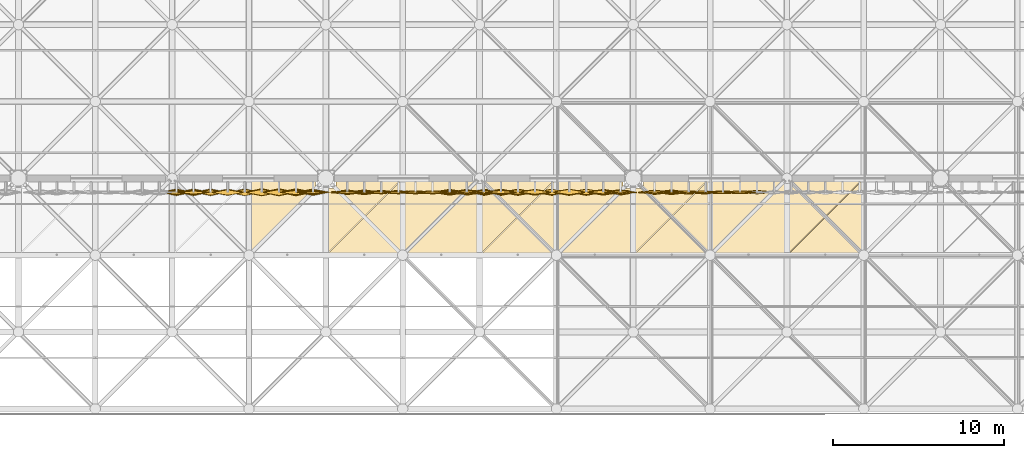
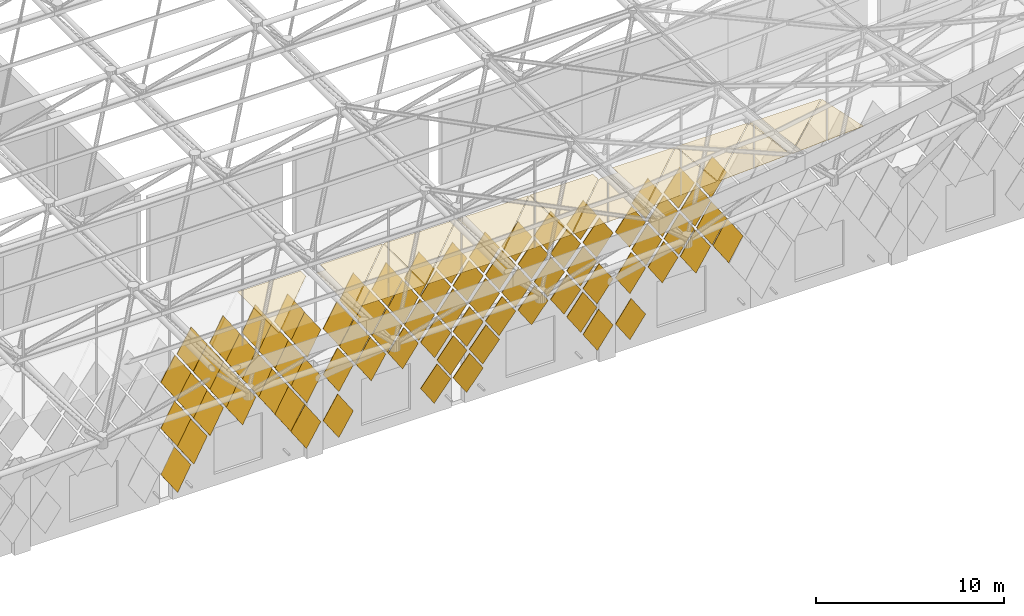
# One storey, part 415 of 437: 92 coverings.
"""IFC4 building model written with IfcOpenShell, lengths in metres."""

from ifc_helpers import new_model, si_unit, direction, frame, origin, place, context, subcontext, project, spatial, polyline, outline, extrude, material, layer, layer_set, material_profile, profile_set, type_object, element, save


model = new_model("IFC4")

# Units and contexts
model_context = context("Model", 3, precision=1e-05, world=origin(), true_north=direction((0.0, 1.0)))
body_context = subcontext(model_context, "Body", "Model", "MODEL_VIEW")
ifc_project = project(units=[si_unit("LENGTHUNIT", "METRE"), si_unit("AREAUNIT", "SQUARE_METRE"), si_unit("VOLUMEUNIT", "CUBIC_METRE"), si_unit("PLANEANGLEUNIT", "RADIAN"), si_unit("MASSUNIT", "GRAM", prefix="KILO")], contexts=[model_context])

# Site, building, storey
site_placement = place(None, origin())
site = spatial("IfcSite", under=ifc_project, at=site_placement, CompositionType="ELEMENT")
building_placement = place(site_placement, origin())
building = spatial("IfcBuilding", under=site, at=building_placement, Name="Opaline Strait Convention Centre", CompositionType="ELEMENT")
storey_placement = place(building_placement, frame((0.0, 0.0, 11.5)))
storey = spatial("IfcBuildingStorey", under=building, at=storey_placement, Name="L02", CompositionType="ELEMENT", Elevation=11.5)

# Coverings
ifc_material_1 = material(Name="White ceramic-faced aluminium tile", Category="aluminium")
ifc_material_profile_1 = material_profile(ifc_material_1, outline(polyline([(0.927978515625, 0.0), (0.0, 1.39208984375), (-0.927978515625, 0.0), (0.0, -1.39208984375), (0.927978515625, 0.0)])), Name="Diamond tile 1856x2784")
ifc_profile_set_1 = profile_set([ifc_material_profile_1], Name="White ceramic-faced aluminium tile")
covering_type_1 = type_object("IfcCoveringType", Name="Diamond wall tile 1856x2784x30 pivot 2 deg", PredefinedType="CLADDING", material=ifc_profile_set_1)
for number, where, z_axis, x_axis, name in (
    (1, (230.25, 53.199951171875, 5.39208984375), (0.0, -0.999471633277, 0.032503142546), (1.0, 0.0, 0.0), "Wall tile XT04 S"),
    (2, (229.25, 53.199951171875, 6.89208984375), (0.0, -0.999174794796, -0.040616861577), (1.0, 0.0, 0.0), "Wall tile XT04 S"),
    (3, (231.25, 53.199951171875, 6.89208984375), (0.0, -0.999471633277, 0.032503142546), (1.0, 0.0, 0.0), "Wall tile XT04 S"),
    (4, (230.25, 53.199951171875, 8.39208984375), (0.0, -0.999174794796, -0.040616861577), (1.0, 0.0, 0.0), "Wall tile XT04 S"),
    (5, (231.25, 53.199951171875, 9.89208984375), (0.0, -0.999174794796, -0.040616861577), (1.0, 0.0, 0.0), "Wall tile XT04 S"),
):
    element("IfcCovering", number, at=place(storey_placement, frame(where, z_axis=z_axis, x_axis=x_axis)), inside=storey, type_object=covering_type_1, Name=name, PredefinedType="CLADDING", context=body_context, shape_type="SweptSolid", body=[
        extrude(outline(polyline([(0.927978515625, 0.0), (0.0, 1.39208984375), (-0.927978515625, 0.0), (0.0, -1.39208984375), (0.927978515625, 0.0)])), origin(), (0.0, 0.0, 1.0), 0.030029296875),
    ])
ifc_material_profile_2 = material_profile(ifc_material_1, outline(polyline([(0.927978515625, 0.0), (0.0, 1.39208984375), (-0.927978515625, 0.0), (0.0, -1.39208984375), (0.927978515625, 0.0)])), Name="Diamond tile 1856x2784")
ifc_profile_set_2 = profile_set([ifc_material_profile_2], Name="White ceramic-faced aluminium tile")
covering_type_2 = type_object("IfcCoveringType", Name="Diamond wall tile 1856x2784x30 pivot 2.5 deg", PredefinedType="CLADDING", material=ifc_profile_set_2)
for number, where, z_axis, x_axis, name in (
    (6, (208.25, 53.199951171875, 2.39208984375), (0.0, -0.999174794796, 0.040616861577), (1.0, 0.0, 0.0), "Wall tile XT05 S"),
    (7, (224.25, 53.199951171875, 2.39208984375), (0.0, -0.998812351125, -0.048722553713), (1.0, 0.0, 0.0), "Wall tile XT05 S"),
    (8, (226.25, 53.199951171875, 2.39208984375), (0.0, -0.998812351125, -0.048722553713), (1.0, 0.0, 0.0), "Wall tile XT05 S"),
    (9, (210.25, 53.199951171875, 5.39208984375), (0.0, -0.999174794796, 0.040616861577), (1.0, 0.0, 0.0), "Wall tile XT05 S"),
    (10, (212.25, 53.199951171875, 5.39208984375), (0.0, -0.998812351125, -0.048722553713), (1.0, 0.0, 0.0), "Wall tile XT05 S"),
    (11, (226.25, 53.199951171875, 5.39208984375), (0.0, -0.998812351125, -0.048722553713), (1.0, 0.0, 0.0), "Wall tile XT05 S"),
    (12, (228.25, 53.199951171875, 5.39208984375), (0.0, -0.998812351125, -0.048722553713), (1.0, 0.0, 0.0), "Wall tile XT05 S"),
    (13, (211.25, 53.199951171875, 6.89208984375), (0.0, -0.999174794796, 0.040616861577), (1.0, 0.0, 0.0), "Wall tile XT05 S"),
    (14, (213.25, 53.199951171875, 6.89208984375), (0.0, -0.998812351125, -0.048722553713), (1.0, 0.0, 0.0), "Wall tile XT05 S"),
    (15, (212.25, 53.199951171875, 8.39208984375), (0.0, -0.999174794796, 0.040616861577), (1.0, 0.0, 0.0), "Wall tile XT05 S"),
    (16, (214.25, 53.199951171875, 8.39208984375), (0.0, -0.998812351125, -0.048722553713), (1.0, 0.0, 0.0), "Wall tile XT05 S"),
    (17, (213.25, 53.199951171875, 9.89208984375), (0.0, -0.999174794796, 0.040616861577), (1.0, 0.0, 0.0), "Wall tile XT05 S"),
    (18, (215.25, 53.199951171875, 9.89208984375), (0.0, -0.998812351125, -0.048722553713), (1.0, 0.0, 0.0), "Wall tile XT05 S"),
):
    element("IfcCovering", number, at=place(storey_placement, frame(where, z_axis=z_axis, x_axis=x_axis)), inside=storey, type_object=covering_type_2, Name=name, PredefinedType="CLADDING", context=body_context, shape_type="SweptSolid", body=[
        extrude(outline(polyline([(0.927978515625, 0.0), (0.0, 1.39208984375), (-0.927978515625, 0.0), (0.0, -1.39208984375), (0.927978515625, 0.0)])), origin(), (0.0, 0.0, 1.0), 0.030029296875),
    ])
ifc_material_profile_3 = material_profile(ifc_material_1, outline(polyline([(0.927978515625, 0.0), (0.0, 1.39208984375), (-0.927978515625, 0.0), (0.0, -1.39208984375), (0.927978515625, 0.0)])), Name="Diamond tile 1856x2784")
ifc_profile_set_3 = profile_set([ifc_material_profile_3], Name="White ceramic-faced aluminium tile")
covering_type_3 = type_object("IfcCoveringType", Name="Diamond wall tile 1856x2784x30 pivot 3 deg", PredefinedType="CLADDING", material=ifc_profile_set_3)
for number, where, z_axis, x_axis, name in (
    (19, (206.25, 53.199951171875, 2.39208984375), (0.0, -0.998812351125, 0.048722553713), (1.0, 0.0, 0.0), "Wall tile XT06 S"),
    (20, (208.25, 53.199951171875, 5.39208984375), (0.0, -0.998812351125, 0.048722553713), (1.0, 0.0, 0.0), "Wall tile XT06 S"),
    (21, (209.25, 53.199951171875, 6.89208984375), (0.0, -0.998812351125, 0.048722553713), (1.0, 0.0, 0.0), "Wall tile XT06 S"),
    (22, (227.25, 53.199951171875, 6.89208984375), (0.0, -0.998384516691, -0.056818631031), (1.0, 0.0, 0.0), "Wall tile XT06 S"),
    (23, (228.25, 53.199951171875, 8.39208984375), (0.0, -0.998384516691, -0.056818631031), (1.0, 0.0, 0.0), "Wall tile XT06 S"),
    (24, (229.25, 53.199951171875, 9.89208984375), (0.0, -0.998384516691, -0.056818631031), (1.0, 0.0, 0.0), "Wall tile XT06 S"),
):
    element("IfcCovering", number, at=place(storey_placement, frame(where, z_axis=z_axis, x_axis=x_axis)), inside=storey, type_object=covering_type_3, Name=name, PredefinedType="CLADDING", context=body_context, shape_type="SweptSolid", body=[
        extrude(outline(polyline([(0.927978515625, 0.0), (0.0, 1.39208984375), (-0.927978515625, 0.0), (0.0, -1.39208984375), (0.927978515625, 0.0)])), origin(), (0.0, 0.0, 1.0), 0.030029296875),
    ])
ifc_material_profile_4 = material_profile(ifc_material_1, outline(polyline([(0.927978515625, 0.0), (0.0, 1.39208984375), (-0.927978515625, 0.0), (0.0, -1.39208984375), (0.927978515625, 0.0)])), Name="Diamond tile 1856x2784")
ifc_profile_set_4 = profile_set([ifc_material_profile_4], Name="White ceramic-faced aluminium tile")
covering_type_4 = type_object("IfcCoveringType", Name="Diamond wall tile 1856x2784x30 pivot 3.5 deg", PredefinedType="CLADDING", material=ifc_profile_set_4)
for number, where, z_axis, x_axis, name in (
    (25, (232.25, 53.199951171875, 5.39208984375), (0.0, -0.99835799028, 0.057282835508), (1.0, 0.0, 0.0), "Wall tile XT07 S"),
    (26, (210.25, 53.199951171875, 8.39208984375), (0.0, -0.99835799028, 0.057282835508), (1.0, 0.0, 0.0), "Wall tile XT07 S"),
    (27, (211.25, 53.199951171875, 9.89208984375), (0.0, -0.99835799028, 0.057282835508), (1.0, 0.0, 0.0), "Wall tile XT07 S"),
    (28, (217.25, 53.199951171875, 9.89208984375), (0.0, -0.99785694905, -0.065433242561), (1.0, 0.0, 0.0), "Wall tile XT07 S"),
):
    element("IfcCovering", number, at=place(storey_placement, frame(where, z_axis=z_axis, x_axis=x_axis)), inside=storey, type_object=covering_type_4, Name=name, PredefinedType="CLADDING", context=body_context, shape_type="SweptSolid", body=[
        extrude(outline(polyline([(0.927978515625, 0.0), (0.0, 1.39208984375), (-0.927978515625, 0.0), (0.0, -1.39208984375), (0.927978515625, 0.0)])), origin(), (0.0, 0.0, 1.0), 0.02978515625),
    ])
ifc_material_profile_5 = material_profile(ifc_material_1, outline(polyline([(0.927978515625, 0.0), (0.0, 1.39208984375), (-0.927978515625, 0.0), (0.0, -1.39208984375), (0.927978515625, 0.0)])), Name="Diamond tile 1856x2784")
ifc_profile_set_5 = profile_set([ifc_material_profile_5], Name="White ceramic-faced aluminium tile")
covering_type_5 = type_object("IfcCoveringType", Name="Diamond wall tile 1856x2784x30 pivot 4 deg", PredefinedType="CLADDING", material=ifc_profile_set_5)
for number, where, z_axis, x_axis, name in (
    (29, (216.25, 53.199951171875, 8.39208984375), (0.0, -0.997290013252, -0.073570574748), (1.0, 0.0, 0.0), "Wall tile XT08 S"),
    (30, (199.25, 53.199951171875, 9.89208984375), (0.0, -0.99785694905, 0.065433242561), (1.0, 0.0, 0.0), "Wall tile XT08 S"),
):
    element("IfcCovering", number, at=place(storey_placement, frame(where, z_axis=z_axis, x_axis=x_axis)), inside=storey, type_object=covering_type_5, Name=name, PredefinedType="CLADDING", context=body_context, shape_type="SweptSolid", body=[
        extrude(outline(polyline([(0.927978515625, 0.0), (0.0, 1.39208984375), (-0.927978515625, 0.0), (0.0, -1.39208984375), (0.927978515625, 0.0)])), origin(), (0.0, 0.0, 1.0), 0.02978515625),
    ])
ifc_material_profile_6 = material_profile(ifc_material_1, outline(polyline([(0.927978515625, 0.0), (0.0, 1.39208984375), (-0.927978515625, 0.0), (0.0, -1.39208984375), (0.927978515625, 0.0)])), Name="Diamond tile 1856x2784")
ifc_profile_set_6 = profile_set([ifc_material_profile_6], Name="White ceramic-faced aluminium tile")
covering_type_6 = type_object("IfcCoveringType", Name="Diamond wall tile 1856x2784x30 pivot 4.5 deg", PredefinedType="CLADDING", material=ifc_profile_set_6)
for number, where, z_axis, x_axis, name in (
    (31, (223.25, 53.199951171875, 3.89208984375), (0.0, -0.996657521232, -0.081693239445), (1.0, 0.0, 0.0), "Wall tile XT09 S"),
    (32, (214.25, 53.199951171875, 5.39208984375), (0.0, -0.996657521232, -0.081693239445), (1.0, 0.0, 0.0), "Wall tile XT09 S"),
    (33, (224.25, 53.199951171875, 5.39208984375), (0.0, -0.996657521232, -0.081693239445), (1.0, 0.0, 0.0), "Wall tile XT09 S"),
    (34, (215.25, 53.199951171875, 6.89208984375), (0.0, -0.996657521232, -0.081693239445), (1.0, 0.0, 0.0), "Wall tile XT09 S"),
    (35, (198.25, 53.199951171875, 8.39208984375), (0.0, -0.997290013252, 0.073570574748), (1.0, 0.0, 0.0), "Wall tile XT09 S"),
    (36, (226.25, 53.199951171875, 8.39208984375), (0.0, -0.996657521232, -0.081693239445), (1.0, 0.0, 0.0), "Wall tile XT09 S"),
):
    element("IfcCovering", number, at=place(storey_placement, frame(where, z_axis=z_axis, x_axis=x_axis)), inside=storey, type_object=covering_type_6, Name=name, PredefinedType="CLADDING", context=body_context, shape_type="SweptSolid", body=[
        extrude(outline(polyline([(0.927978515625, 0.0), (0.0, 1.39208984375), (-0.927978515625, 0.0), (0.0, -1.39208984375), (0.927978515625, 0.0)])), origin(), (0.0, 0.0, 1.0), 0.02978515625),
    ])
ifc_material_profile_7 = material_profile(ifc_material_1, outline(polyline([(0.927978515625, 0.0), (0.0, 1.39208984375), (-0.927978515625, 0.0), (0.0, -1.39208984375), (0.927978515625, 0.0)])), Name="Diamond tile 1856x2784")
ifc_profile_set_7 = profile_set([ifc_material_profile_7], Name="White ceramic-faced aluminium tile")
covering_type_7 = type_object("IfcCoveringType", Name="Diamond wall tile 1856x2784x30 pivot 5 deg", PredefinedType="CLADDING", material=ifc_profile_set_7)
covering_1_placement = place(storey_placement, frame((227.25, 53.199951171875, 9.89208984375), z_axis=(0.0, -0.995959849254, -0.089799658539), x_axis=(1.0, 0.0, 0.0)))
element("IfcCovering", 37, at=covering_1_placement, inside=storey, type_object=covering_type_7, Name="Wall tile XT10 S", PredefinedType="CLADDING", context=body_context, shape_type="SweptSolid", body=[
    extrude(outline(polyline([(0.927978515625, 0.0), (0.0, 1.39208984375), (-0.927978515625, 0.0), (0.0, -1.39208984375), (0.927978515625, 0.0)])), origin(), (0.0, 0.0, 1.0), 0.02978515625),
])
ifc_material_profile_8 = material_profile(ifc_material_1, outline(polyline([(0.927978515625, 0.0), (0.0, 1.39208984375), (-0.927978515625, 0.0), (0.0, -1.39208984375), (0.927978515625, 0.0)])), Name="Diamond tile 1856x2784")
ifc_profile_set_8 = profile_set([ifc_material_profile_8], Name="White ceramic-faced aluminium tile")
covering_type_8 = type_object("IfcCoveringType", Name="Diamond wall tile 1856x2784x30 pivot 5.5 deg", PredefinedType="CLADDING", material=ifc_profile_set_8)
for number, where, z_axis, x_axis, name in (
    (38, (205.25, 53.199951171875, 3.89208984375), (0.0, -0.995959849254, 0.089799658539), (1.0, 0.0, 0.0), "Wall tile XT11 S"),
    (39, (206.25, 53.199951171875, 5.39208984375), (0.0, -0.995959849254, 0.089799658539), (1.0, 0.0, 0.0), "Wall tile XT11 S"),
):
    element("IfcCovering", number, at=place(storey_placement, frame(where, z_axis=z_axis, x_axis=x_axis)), inside=storey, type_object=covering_type_8, Name=name, PredefinedType="CLADDING", context=body_context, shape_type="SweptSolid", body=[
        extrude(outline(polyline([(0.927978515625, 0.0), (0.0, 1.39208984375), (-0.927978515625, 0.0), (0.0, -1.39208984375), (0.927978515625, 0.0)])), origin(), (0.0, 0.0, 1.0), 0.02978515625),
    ])
covering_2_placement = place(storey_placement, frame((217.25, 53.199951171875, 6.89208984375), z_axis=(0.0, -0.995197410875, -0.097888269922), x_axis=(1.0, 0.0, 0.0)))
element("IfcCovering", 40, at=covering_2_placement, inside=storey, type_object=covering_type_8, Name="Wall tile XT11 S", PredefinedType="CLADDING", context=body_context, shape_type="SweptSolid", body=[
    extrude(outline(polyline([(0.927978515625, 0.0), (0.0, 1.39208984375), (-0.927978515625, 0.0), (0.0, -1.39208984375), (0.927978515625, 0.0)])), origin(), (0.0, 0.0, 1.0), 0.030029296875),
])
covering_3_placement = place(storey_placement, frame((208.25, 53.199951171875, 8.39208984375), z_axis=(0.0, -0.995959849254, 0.089799658539), x_axis=(1.0, 0.0, 0.0)))
element("IfcCovering", 41, at=covering_3_placement, inside=storey, type_object=covering_type_8, Name="Wall tile XT11 S", PredefinedType="CLADDING", context=body_context, shape_type="SweptSolid", body=[
    extrude(outline(polyline([(0.927978515625, 0.0), (0.0, 1.39208984375), (-0.927978515625, 0.0), (0.0, -1.39208984375), (0.927978515625, 0.0)])), origin(), (0.0, 0.0, 1.0), 0.02978515625),
])
covering_4_placement = place(storey_placement, frame((218.25, 53.199951171875, 8.39208984375), z_axis=(0.0, -0.995197410875, -0.097888269922), x_axis=(1.0, 0.0, 0.0)))
element("IfcCovering", 42, at=covering_4_placement, inside=storey, type_object=covering_type_8, Name="Wall tile XT11 S", PredefinedType="CLADDING", context=body_context, shape_type="SweptSolid", body=[
    extrude(outline(polyline([(0.927978515625, 0.0), (0.0, 1.39208984375), (-0.927978515625, 0.0), (0.0, -1.39208984375), (0.927978515625, 0.0)])), origin(), (0.0, 0.0, 1.0), 0.030029296875),
])
covering_5_placement = place(storey_placement, frame((209.25, 53.199951171875, 9.89208984375), z_axis=(0.0, -0.995959849254, 0.089799658539), x_axis=(1.0, 0.0, 0.0)))
element("IfcCovering", 43, at=covering_5_placement, inside=storey, type_object=covering_type_8, Name="Wall tile XT11 S", PredefinedType="CLADDING", context=body_context, shape_type="SweptSolid", body=[
    extrude(outline(polyline([(0.927978515625, 0.0), (0.0, 1.39208984375), (-0.927978515625, 0.0), (0.0, -1.39208984375), (0.927978515625, 0.0)])), origin(), (0.0, 0.0, 1.0), 0.02978515625),
])
covering_6_placement = place(storey_placement, frame((219.25, 53.199951171875, 9.89208984375), z_axis=(0.0, -0.995197410875, -0.097888269922), x_axis=(1.0, 0.0, 0.0)))
element("IfcCovering", 44, at=covering_6_placement, inside=storey, type_object=covering_type_8, Name="Wall tile XT11 S", PredefinedType="CLADDING", context=body_context, shape_type="SweptSolid", body=[
    extrude(outline(polyline([(0.927978515625, 0.0), (0.0, 1.39208984375), (-0.927978515625, 0.0), (0.0, -1.39208984375), (0.927978515625, 0.0)])), origin(), (0.0, 0.0, 1.0), 0.030029296875),
])
ifc_material_profile_9 = material_profile(ifc_material_1, outline(polyline([(0.927978515625, 0.0), (0.0, 1.39208984375), (-0.927978515625, 0.0), (0.0, -1.39208984375), (0.927978515625, 0.0)])), Name="Diamond tile 1856x2784")
ifc_profile_set_9 = profile_set([ifc_material_profile_9], Name="White ceramic-faced aluminium tile")
covering_type_9 = type_object("IfcCoveringType", Name="Diamond wall tile 1856x2784x30 pivot 6 deg", PredefinedType="CLADDING", material=ifc_profile_set_9)
for number, where, z_axis, x_axis, name in (
    (45, (216.25, 53.199951171875, 5.39208984375), (0.0, -0.994370656274, -0.105957528947), (1.0, 0.0, 0.0), "Wall tile XT12 S"),
    (46, (223.25, 53.199951171875, 6.89208984375), (0.0, -0.994370656274, -0.105957528947), (1.0, 0.0, 0.0), "Wall tile XT12 S"),
    (47, (224.25, 53.199951171875, 8.39208984375), (0.0, -0.994370656274, -0.105957528947), (1.0, 0.0, 0.0), "Wall tile XT12 S"),
):
    element("IfcCovering", number, at=place(storey_placement, frame(where, z_axis=z_axis, x_axis=x_axis)), inside=storey, type_object=covering_type_9, Name=name, PredefinedType="CLADDING", context=body_context, shape_type="SweptSolid", body=[
        extrude(outline(polyline([(0.927978515625, 0.0), (0.0, 1.39208984375), (-0.927978515625, 0.0), (0.0, -1.39208984375), (0.927978515625, 0.0)])), origin(), (0.0, 0.0, 1.0), 0.030029296875),
    ])
ifc_material_profile_10 = material_profile(ifc_material_1, outline(polyline([(0.927978515625, 0.0), (0.0, 1.39208984375), (-0.927978515625, 0.0), (0.0, -1.39208984375), (0.927978515625, 0.0)])), Name="Diamond tile 1856x2784")
ifc_profile_set_10 = profile_set([ifc_material_profile_10], Name="White ceramic-faced aluminium tile")
covering_type_10 = type_object("IfcCoveringType", Name="Diamond wall tile 1856x2784x30 pivot 6.5 deg", PredefinedType="CLADDING", material=ifc_profile_set_10)
for number, where, z_axis, x_axis, name in (
    (48, (214.25, 53.199951171875, 2.39208984375), (0.0, -0.993480071526, -0.114005909847), (1.0, 0.0, 0.0), "Wall tile XT13 S"),
    (49, (215.25, 53.199951171875, 3.89208984375), (0.0, -0.993480071526, -0.114005909847), (1.0, 0.0, 0.0), "Wall tile XT13 S"),
    (50, (198.25, 53.199951171875, 5.39208984375), (0.0, -0.993480071526, 0.114005909847), (1.0, 0.0, 0.0), "Wall tile XT13 S"),
    (51, (222.25, 53.199951171875, 5.39208984375), (0.0, -0.993480071526, -0.114005909847), (1.0, 0.0, 0.0), "Wall tile XT13 S"),
    (52, (199.25, 53.199951171875, 6.89208984375), (0.0, -0.993480071526, 0.114005909847), (1.0, 0.0, 0.0), "Wall tile XT13 S"),
    (53, (219.25, 53.199951171875, 6.89208984375), (0.0, -0.993480071526, -0.114005909847), (1.0, 0.0, 0.0), "Wall tile XT13 S"),
    (54, (200.25, 53.199951171875, 8.39208984375), (0.0, -0.993480071526, 0.114005909847), (1.0, 0.0, 0.0), "Wall tile XT13 S"),
    (55, (220.25, 53.199951171875, 8.39208984375), (0.0, -0.993480071526, -0.114005909847), (1.0, 0.0, 0.0), "Wall tile XT13 S"),
    (56, (201.25, 53.199951171875, 9.89208984375), (0.0, -0.993480071526, 0.114005909847), (1.0, 0.0, 0.0), "Wall tile XT13 S"),
    (57, (221.25, 53.199951171875, 9.89208984375), (0.0, -0.993480071526, -0.114005909847), (1.0, 0.0, 0.0), "Wall tile XT13 S"),
    (58, (223.25, 53.199951171875, 9.89208984375), (0.0, -0.993480071526, -0.114005909847), (1.0, 0.0, 0.0), "Wall tile XT13 S"),
):
    element("IfcCovering", number, at=place(storey_placement, frame(where, z_axis=z_axis, x_axis=x_axis)), inside=storey, type_object=covering_type_10, Name=name, PredefinedType="CLADDING", context=body_context, shape_type="SweptSolid", body=[
        extrude(outline(polyline([(0.927978515625, 0.0), (0.0, 1.39208984375), (-0.927978515625, 0.0), (0.0, -1.39208984375), (0.927978515625, 0.0)])), origin(), (0.0, 0.0, 1.0), 0.030029296875),
    ])
ifc_material_profile_11 = material_profile(ifc_material_1, outline(polyline([(0.927978515625, 0.0), (0.0, 1.39208984375), (-0.927978515625, 0.0), (0.0, -1.39208984375), (0.927978515625, 0.0)])), Name="Diamond tile 1856x2784")
ifc_profile_set_11 = profile_set([ifc_material_profile_11], Name="White ceramic-faced aluminium tile")
covering_type_11 = type_object("IfcCoveringType", Name="Diamond wall tile 1856x2784x30 pivot 7 deg", PredefinedType="CLADDING", material=ifc_profile_set_11)
for number, where, z_axis, x_axis, name in (
    (59, (216.25, 53.199951171875, 2.39208984375), (0.0, -0.992526177815, -0.122031907108), (1.0, 0.0, 0.0), "Wall tile XT14 S"),
    (60, (217.25, 53.199951171875, 3.89208984375), (0.0, -0.992526177815, -0.122031907108), (1.0, 0.0, 0.0), "Wall tile XT14 S"),
    (61, (204.25, 53.199951171875, 5.39208984375), (0.0, -0.992526177815, 0.122031907108), (1.0, 0.0, 0.0), "Wall tile XT14 S"),
    (62, (218.25, 53.199951171875, 5.39208984375), (0.0, -0.992526177815, -0.122031907108), (1.0, 0.0, 0.0), "Wall tile XT14 S"),
    (63, (220.25, 53.199951171875, 5.39208984375), (0.0, -0.992526177815, -0.122031907108), (1.0, 0.0, 0.0), "Wall tile XT14 S"),
    (64, (221.25, 53.199951171875, 6.89208984375), (0.0, -0.992526177815, -0.122031907108), (1.0, 0.0, 0.0), "Wall tile XT14 S"),
    (65, (222.25, 53.199951171875, 8.39208984375), (0.0, -0.992526177815, -0.122031907108), (1.0, 0.0, 0.0), "Wall tile XT14 S"),
):
    element("IfcCovering", number, at=place(storey_placement, frame(where, z_axis=z_axis, x_axis=x_axis)), inside=storey, type_object=covering_type_11, Name=name, PredefinedType="CLADDING", context=body_context, shape_type="SweptSolid", body=[
        extrude(outline(polyline([(0.927978515625, 0.0), (0.0, 1.39208984375), (-0.927978515625, 0.0), (0.0, -1.39208984375), (0.927978515625, 0.0)])), origin(), (0.0, 0.0, 1.0), 0.030029296875),
    ])
ifc_material_profile_12 = material_profile(ifc_material_1, outline(polyline([(0.927978515625, 0.0), (0.0, 1.39208984375), (-0.927978515625, 0.0), (0.0, -1.39208984375), (0.927978515625, 0.0)])), Name="Diamond tile 1856x2784")
ifc_profile_set_12 = profile_set([ifc_material_profile_12], Name="White ceramic-faced aluminium tile")
covering_type_12 = type_object("IfcCoveringType", Name="Diamond wall tile 1856x2784x30 pivot 7.5 deg", PredefinedType="CLADDING", material=ifc_profile_set_12)
for number, where, z_axis, x_axis, name in (
    (66, (201.25, 53.199951171875, 6.89208984375), (0.0, -0.991509530601, 0.1300340368), (1.0, 0.0, 0.0), "Wall tile XT15 S"),
    (67, (205.25, 53.199951171875, 6.89208984375), (0.0, -0.991509530601, 0.1300340368), (1.0, 0.0, 0.0), "Wall tile XT15 S"),
    (68, (202.25, 53.199951171875, 8.39208984375), (0.0, -0.991509530601, 0.1300340368), (1.0, 0.0, 0.0), "Wall tile XT15 S"),
    (69, (206.25, 53.199951171875, 8.39208984375), (0.0, -0.991509530601, 0.1300340368), (1.0, 0.0, 0.0), "Wall tile XT15 S"),
    (70, (203.25, 53.199951171875, 9.89208984375), (0.0, -0.991509530601, 0.1300340368), (1.0, 0.0, 0.0), "Wall tile XT15 S"),
):
    element("IfcCovering", number, at=place(storey_placement, frame(where, z_axis=z_axis, x_axis=x_axis)), inside=storey, type_object=covering_type_12, Name=name, PredefinedType="CLADDING", context=body_context, shape_type="SweptSolid", body=[
        extrude(outline(polyline([(0.927978515625, 0.0), (0.0, 1.39208984375), (-0.927978515625, 0.0), (0.0, -1.39208984375), (0.927978515625, 0.0)])), origin(), (0.0, 0.0, 1.0), 0.030029296875),
    ])
ifc_material_profile_13 = material_profile(ifc_material_1, outline(polyline([(0.927978515625, 0.0), (0.0, 1.39208984375), (-0.927978515625, 0.0), (0.0, -1.39208984375), (0.927978515625, 0.0)])), Name="Diamond tile 1856x2784")
ifc_profile_set_13 = profile_set([ifc_material_profile_13], Name="White ceramic-faced aluminium tile")
covering_type_13 = type_object("IfcCoveringType", Name="Diamond wall tile 1856x2784x30 pivot 8 deg", PredefinedType="CLADDING", material=ifc_profile_set_13)
for number, where, z_axis, x_axis, name in (
    (71, (198.25, 53.199951171875, 2.39208984375), (0.0, -0.990274204789, 0.139129433731), (1.0, 0.0, 0.0), "Wall tile XT16 S"),
    (72, (199.25, 53.199951171875, 3.89208984375), (0.0, -0.990274204789, 0.139129433731), (1.0, 0.0, 0.0), "Wall tile XT16 S"),
    (73, (200.25, 53.199951171875, 5.39208984375), (0.0, -0.990274204789, 0.139129433731), (1.0, 0.0, 0.0), "Wall tile XT16 S"),
    (74, (202.25, 53.199951171875, 5.39208984375), (0.0, -0.990274204789, 0.139129433731), (1.0, 0.0, 0.0), "Wall tile XT16 S"),
    (75, (203.25, 53.199951171875, 6.89208984375), (0.0, -0.990274204789, 0.139129433731), (1.0, 0.0, 0.0), "Wall tile XT16 S"),
    (76, (204.25, 53.199951171875, 8.39208984375), (0.0, -0.990274204789, 0.139129433731), (1.0, 0.0, 0.0), "Wall tile XT16 S"),
    (77, (205.25, 53.199951171875, 9.89208984375), (0.0, -0.990274204789, 0.139129433731), (1.0, 0.0, 0.0), "Wall tile XT16 S"),
):
    element("IfcCovering", number, at=place(storey_placement, frame(where, z_axis=z_axis, x_axis=x_axis)), inside=storey, type_object=covering_type_13, Name=name, PredefinedType="CLADDING", context=body_context, shape_type="SweptSolid", body=[
        extrude(outline(polyline([(0.927978515625, 0.0), (0.0, 1.39208984375), (-0.927978515625, 0.0), (0.0, -1.39208984375), (0.927978515625, 0.0)])), origin(), (0.0, 0.0, 1.0), 0.02978515625),
    ])
ifc_material_2 = material(Name="White aluminium soffit panel", Category="aluminium")
ifc_layer = layer(ifc_material_2, 0.011962890625)
ifc_layer_set = layer_set([ifc_layer], Name="White aluminium soffit panel")
covering_type_14 = type_object("IfcCoveringType", Name="Soffit lining panel 12 aluminium", PredefinedType="CEILING", material=ifc_layer_set)
covering_7_placement = place(storey_placement, frame((202.52001953125, 49.54833984375, 11.989990234375), z_axis=(0.0, 0.0, 1.0), x_axis=(0.0, 1.0, 0.0)))
element("IfcCovering", 78, at=covering_7_placement, inside=storey, type_object=covering_type_14, Name="Soffit lining panel", PredefinedType="CEILING", context=body_context, shape_type="SweptSolid", body=[
    extrude(outline(polyline([(0.0, 0.0), (4.431640625, 0.0), (4.431640625, -3.8798828125), (3.8798828125, -3.8798828125), (0.0, 0.0)])), origin(), (0.0, 0.0, -1.0), 0.011962890625),
])
covering_8_placement = place(storey_placement, frame((207.04833984375, 49.52001953125, 11.989990234375), z_axis=(-0.000495813012, 0.000495813012, 0.999999754169), x_axis=(0.707106781187, 0.707106781187, 0.0)))
element("IfcCovering", 79, at=covering_8_placement, inside=storey, type_object=covering_type_14, Name="Soffit lining panel", PredefinedType="CEILING", context=body_context, shape_type="SweptSolid", body=[
    extrude(outline(polyline([(0.0, 0.0), (6.26728627543858, 0.0), (3.13364313771929, -3.1336439080647662), (0.0, 0.0)])), origin(), (0.0, 0.0, -1.0), 0.011962890625),
])
covering_9_placement = place(storey_placement, frame((207.60009765625, 53.39990234375, 11.989990234375), z_axis=(0.0, 0.0, 1.0), x_axis=(0.0, 1.0, 0.0)))
element("IfcCovering", 80, at=covering_9_placement, inside=storey, type_object=covering_type_14, Name="Soffit lining panel", PredefinedType="CEILING", context=body_context, shape_type="SweptSolid", body=[
    extrude(outline(polyline([(0.0, 0.0), (0.580078125, 0.0), (0.580078125, -3.8515625), (-3.8515625, 0.580078125), (0.0, 0.580078125), (0.0, 0.0)])), origin(), (0.0, 0.0, -1.0), 0.011962890625),
])
covering_10_placement = place(storey_placement, frame((211.54833984375, 49.52001953125, 11.9921875), z_axis=(-0.000495812829, 0.000991625658, 0.999999385424), x_axis=(0.707106737729, 0.707106737729, -0.000350592807)))
element("IfcCovering", 81, at=covering_10_placement, inside=storey, type_object=covering_type_14, Name="Soffit lining panel", PredefinedType="CEILING", context=body_context, shape_type="SweptSolid", body=[
    extrude(outline(polyline([(0.0, 0.0), (6.267286660611354, 8.627708194142852e-17), (3.1336421747873913, -3.1336448709961338), (0.0, 0.0)])), origin(), (0.0, 0.0, -1.0), 0.011962890625),
])
covering_11_placement = place(storey_placement, frame((211.52001953125, 49.54833984375, 11.9921875), z_axis=(0.0, 0.000495813073, 0.999999877085), x_axis=(0.0, 0.999999877085, -0.000495813073)))
element("IfcCovering", 82, at=covering_11_placement, inside=storey, type_object=covering_type_14, Name="Soffit lining panel", PredefinedType="CEILING", context=body_context, shape_type="SweptSolid", body=[
    extrude(outline(polyline([(0.0, 0.0), (4.431641169716544, 0.0), (4.431641169716544, -4.431640625), (0.0, 0.0)])), origin(), (0.0, 0.0, -1.0), 0.011962890625),
])
covering_12_placement = place(storey_placement, frame((216.04833984375, 49.52001953125, 11.9951171875), z_axis=(-0.025049739811, 0.026040718529, 0.999346982541), x_axis=(0.707106607358, 0.707106607358, -0.000701185485)))
element("IfcCovering", 83, at=covering_12_placement, inside=storey, type_object=covering_type_14, Name="Soffit lining panel", PredefinedType="CEILING", context=body_context, shape_type="SweptSolid", body=[
    extrude(outline(polyline([(0.0, 0.0), (6.2672878161295325, -2.5833827264898357e-16), (3.133564476896489, -3.1356900277080078), (0.0, 0.0)])), origin(), (0.0, 0.0, -1.0), 0.011962890625),
])
covering_13_placement = place(storey_placement, frame((216.02001953125, 49.54833984375, 11.994384765625), z_axis=(0.0, 0.00099162578, 0.999999508339), x_axis=(0.0, 0.999999508339, -0.00099162578)))
element("IfcCovering", 84, at=covering_13_placement, inside=storey, type_object=covering_type_14, Name="Soffit lining panel", PredefinedType="CEILING", context=body_context, shape_type="SweptSolid", body=[
    extrude(outline(polyline([(0.0, 0.0), (4.431642803865774, 0.0), (4.431642803865774, -4.431640625), (0.0, 0.0)])), origin(), (0.0, 0.0, -1.0), 0.011962890625),
])
covering_14_placement = place(storey_placement, frame((224.42822265625, 53.39990234375, 12.00634765625), z_axis=(-0.024945024713, 0.050983197058, 0.998387930296), x_axis=(0.999688026733, 1.0509955e-05, 0.02497697132)))
element("IfcCovering", 85, at=covering_14_placement, inside=storey, type_object=covering_type_14, Name="Soffit lining panel", PredefinedType="CEILING", context=body_context, shape_type="SweptSolid", body=[
    extrude(outline(polyline([(0.0, 0.0), (0.55192716084238, 1.0842021724855044e-19), (0.5568378728797443, -3.8849409874024743), (-3.8761886423145433, -3.884888527539524), (0.0, 0.0)])), origin(), (0.0, 0.0, -1.0), 0.011962890625),
])
covering_15_placement = place(storey_placement, frame((220.52001953125, 49.54833984375, 12.105712890625), z_axis=(-1.309102e-05, 0.026005311496, 0.999661804613), x_axis=(1.5e-10, 0.999661804699, -0.026005311498)))
element("IfcCovering", 86, at=covering_15_placement, inside=storey, type_object=covering_type_14, Name="Soffit lining panel", PredefinedType="CEILING", context=body_context, shape_type="SweptSolid", body=[
    extrude(outline(polyline([(0.0, 0.0), (4.43313857078168, -2.117582368135751e-22), (4.433138571363613, -3.8798828121675433), (3.881192772535994, -3.879882812915242), (0.0, 0.0)])), origin(), (0.0, 0.0, -1.0), 0.011962890625),
])
covering_16_placement = place(storey_placement, frame((225.04833984375, 49.52001953125, 12.215087890625), z_axis=(-0.049435444208, 0.10013004148, 0.993745496417), x_axis=(0.706647187087, 0.706647187087, -0.036048661042)))
element("IfcCovering", 87, at=covering_16_placement, inside=storey, type_object=covering_type_14, Name="Soffit lining panel", PredefinedType="CEILING", context=body_context, shape_type="SweptSolid", body=[
    extrude(outline(polyline([(0.0, 0.0), (6.271362436559078, -3.469446951953614e-18), (3.123659130636957, -3.151316300933694), (0.0, 0.0)])), origin(), (0.0, 0.0, -1.0), 0.011962890625),
])
covering_17_placement = place(storey_placement, frame((229.45166015625, 53.97998046875, 11.990966796875), z_axis=(-1.9333429e-05, 0.05100733674, 0.998698278373), x_axis=(-0.706646194719, -0.706646709341, 0.036077467585)))
element("IfcCovering", 88, at=covering_17_placement, inside=storey, type_object=covering_type_14, Name="Soffit lining panel", PredefinedType="CEILING", context=body_context, shape_type="SweptSolid", body=[
    extrude(outline(polyline([(0.0, 0.0), (6.271371241928717, 4.718447854656915e-16), (3.5425780472425217, -2.7252417711192938), (3.1326680475717166, -2.314797593248999), (2.7216919843462213, -2.725238783704449), (0.0, 0.0)])), origin(), (0.0, 0.0, -1.0), 0.011962890625),
])
covering_18_placement = place(storey_placement, frame((229.54833984375, 49.52001953125, 12.423583984375), z_axis=(-0.049133129287, 0.148650840766, 0.987668397361), x_axis=(0.705318837527, 0.705318837527, -0.071068100145)))
element("IfcCovering", 89, at=covering_18_placement, inside=storey, type_object=covering_type_14, Name="Soffit lining panel", PredefinedType="CEILING", context=body_context, shape_type="SweptSolid", body=[
    extrude(outline(polyline([(0.0, 0.0), (6.283173494325447, 4.0245584642661925e-16), (3.1100520127842866, -3.16474600413974), (0.0, 0.0)])), origin(), (0.0, 0.0, -1.0), 0.011962890625),
])
covering_19_placement = place(storey_placement, frame((229.52001953125, 49.54833984375, 12.4375), z_axis=(0.0, 0.100306879711, 0.994956546731), x_axis=(0.0, 0.994956546731, -0.100306879711)))
element("IfcCovering", 90, at=covering_19_placement, inside=storey, type_object=covering_type_14, Name="Soffit lining panel", PredefinedType="CEILING", context=body_context, shape_type="SweptSolid", body=[
    extrude(outline(polyline([(0.0, 0.0), (4.454104693879422, 0.0), (4.454104693879422, -4.431640624999999), (0.0, 0.0)])), origin(), (0.0, 0.0, -1.0), 0.011962890625),
])
covering_20_placement = place(storey_placement, frame((234.04833984375, 49.52001953125, 12.628662109375), z_axis=(-0.057333805742, 0.204409821975, 0.977204921907), x_axis=(0.703136079276, 0.703136079276, -0.105826783196)))
element("IfcCovering", 91, at=covering_20_placement, inside=storey, type_object=covering_type_14, Name="Soffit lining panel", PredefinedType="CEILING", context=body_context, shape_type="SweptSolid", body=[
    extrude(outline(polyline([(0.0, 0.0), (6.302678465262751, 2.0816681711721685e-16), (3.0885304167255025, -3.188733850971598), (0.0, 0.0)])), origin(), (0.0, 0.0, -1.0), 0.011962890625),
])
covering_21_placement = place(storey_placement, frame((234.02001953125, 49.54833984375, 12.643310546875), z_axis=(0.0, 0.148830592632, 0.988862707709), x_axis=(0.0, 0.988862707709, -0.148830592632)))
element("IfcCovering", 92, at=covering_21_placement, inside=storey, type_object=covering_type_14, Name="Soffit lining panel", PredefinedType="CEILING", context=body_context, shape_type="SweptSolid", body=[
    extrude(outline(polyline([(0.0, 0.0), (4.4815529905755245, 0.0), (4.4815529905755245, -4.431640625), (0.0, 0.0)])), origin(), (0.0, 0.0, -1.0), 0.011962890625),
])

save(model, "model.ifc")
